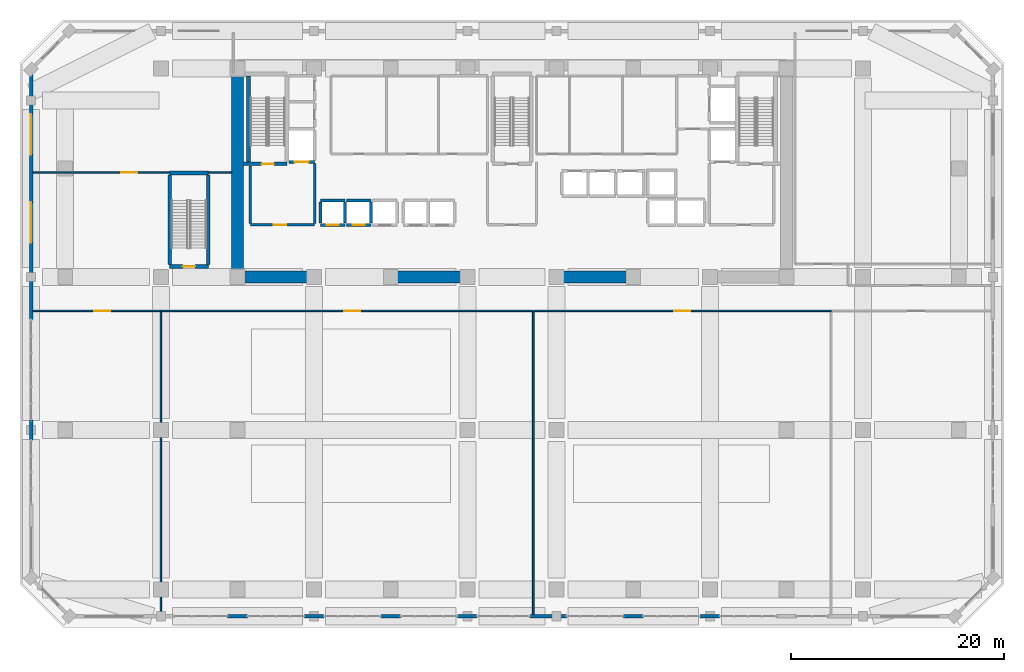
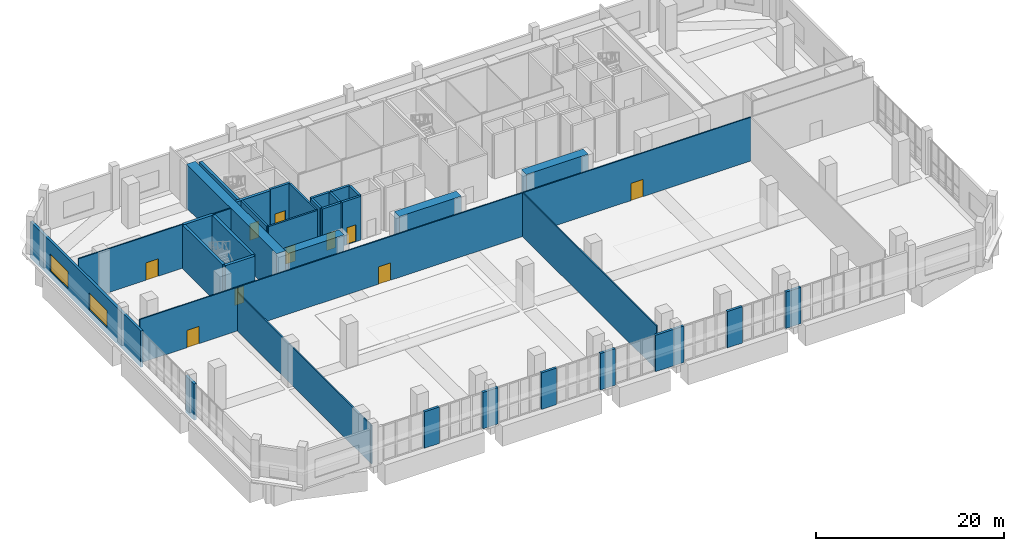
# One storey, part 17 of 25: 37 walls, 10 doors, 2 windows, 12 openings.
"""IFC4 building model written with IfcOpenShell, lengths in metres."""

from ifc_helpers import new_model, si_unit, direction, frame, frame_2d, origin, place, context, subcontext, project, spatial, rectangle, extrude, material, layer, layer_set, type_object, element, fill, save


model = new_model("IFC4")

# Units and contexts
model_context = context("Model", 3, precision=1e-05, world=origin(), true_north=direction((0.0, 1.0)))
body_context = subcontext(model_context, "Body", "Model", "MODEL_VIEW")
ifc_project = project(units=[si_unit("LENGTHUNIT", "METRE"), si_unit("AREAUNIT", "SQUARE_METRE"), si_unit("VOLUMEUNIT", "CUBIC_METRE"), si_unit("PLANEANGLEUNIT", "RADIAN"), si_unit("MASSUNIT", "GRAM", prefix="KILO")], contexts=[model_context])

# Site, building, storey
site_placement = place(None, origin())
site = spatial("IfcSite", under=ifc_project, at=site_placement, CompositionType="ELEMENT")
building_placement = place(site_placement, origin())
building = spatial("IfcBuilding", under=site, at=building_placement, Name="Kaelvorn Grand Hotel", CompositionType="ELEMENT")
storey_placement = place(building_placement, frame((0.0, 0.0, 8.0)))
storey = spatial("IfcBuildingStorey", under=building, at=storey_placement, Name="L01", CompositionType="ELEMENT", Elevation=8.0)

# Walls
ifc_material_1 = material(Name="Concrete C80/95", Category="concrete")
ifc_layer_1 = layer(ifc_material_1, 1.10009765625)
ifc_layer_set_1 = layer_set([ifc_layer_1], Name="Concrete C80/95")
wall_type_1 = type_object("IfcWallType", Name="WL-CORE-1100-C80", PredefinedType="SHEAR", material=ifc_layer_set_1)
wall_1_placement = place(storey_placement, frame((16.199951171875, 29.39990234375, 0.0), z_axis=(0.0, 0.0, 1.0), x_axis=(0.0, 1.0, 0.0)))
element("IfcWall", 1, at=wall_1_placement, inside=storey, type_object=wall_type_1, Name="L01 Rear-Core West Shear Wall", PredefinedType="SHEAR", context=body_context, shape_type="SweptSolid", body=[
    extrude(rectangle(XDim=19.2001953125, YDim=1.10009765625, at=frame_2d((9.60009765625, 0.0))), origin(), (0.0, 0.0, 1.0), 5.679931640625),
])
wall_2_placement = place(storey_placement, frame((16.7548828125, 29.39990234375, 0.0), z_axis=(0.0, 0.0, 1.0), x_axis=(1.0, 0.0, 0.0)))
element("IfcWall", 2, at=wall_2_placement, inside=storey, type_object=wall_type_1, Name="L01 Rear-Core Coupled Shear Pier S1", PredefinedType="SHEAR", context=body_context, shape_type="SweptSolid", body=[
    extrude(rectangle(XDim=6.84521484375, YDim=1.10009765625, at=frame_2d((3.422607421875, 0.0))), origin(), (0.0, 0.0, 1.0), 5.679931640625),
])
for number, where, z_axis, x_axis, name in (
    (3, (30.39990234375, 29.39990234375, 0.0), (0.0, 0.0, 1.0), (1.0, 0.0, 0.0), "L01 Rear-Core Coupled Shear Pier S2"),
    (4, (46.0, 29.39990234375, 0.0), (0.0, 0.0, 1.0), (1.0, 0.0, 0.0), "L01 Rear-Core Coupled Shear Pier S3"),
):
    element("IfcWall", number, at=place(storey_placement, frame(where, z_axis=z_axis, x_axis=x_axis)), inside=storey, type_object=wall_type_1, Name=name, PredefinedType="SHEAR", context=body_context, shape_type="SweptSolid", body=[
        extrude(rectangle(XDim=7.60009765625, YDim=1.10009765625, at=frame_2d((3.800048828125, 0.0))), origin(), (0.0, 0.0, 1.0), 5.679931640625),
    ])
ifc_material_2 = material(Name="Concrete C40/50", Category="concrete")
ifc_layer_2 = layer(ifc_material_2, 0.300048828125)
ifc_layer_set_2 = layer_set([ifc_layer_2], Name="Concrete C40/50")
wall_type_2 = type_object("IfcWallType", Name="WL-EXT-300-C40", PredefinedType="SOLIDWALL", material=ifc_layer_set_2)
wall_3_placement = place(storey_placement, frame((15.27490234375, -2.5, 0.0), z_axis=(0.0, 0.0, 1.0), x_axis=(1.0, 0.0, 0.0)))
element("IfcWall", 5, at=wall_3_placement, inside=storey, type_object=wall_type_2, Name="L01 Exterior Architectural Concrete Wall 01 Pier 2", PredefinedType="SOLIDWALL", context=body_context, shape_type="SweptSolid", body=[
    extrude(rectangle(XDim=1.85009765625, YDim=0.300048828125, at=frame_2d((0.925048828125, 0.0))), origin(), (0.0, 0.0, 1.0), 4.72998046875),
])
for number, where, z_axis, x_axis, name in (
    (6, (22.47509765625, -2.5, 0.0), (0.0, 0.0, 1.0), (1.0, 0.0, 0.0), "L01 Exterior Architectural Concrete Wall 01 Pier 3"),
    (7, (29.675048828125, -2.5, 0.0), (0.0, 0.0, 1.0), (1.0, 0.0, 0.0), "L01 Exterior Architectural Concrete Wall 01 Pier 4"),
):
    element("IfcWall", number, at=place(storey_placement, frame(where, z_axis=z_axis, x_axis=x_axis)), inside=storey, type_object=wall_type_2, Name=name, PredefinedType="SOLIDWALL", context=body_context, shape_type="SweptSolid", body=[
        extrude(rectangle(XDim=1.849853515625, YDim=0.300048828125, at=frame_2d((0.9248046875, 0.0))), origin(), (0.0, 0.0, 1.0), 4.72998046875),
    ])
wall_4_placement = place(storey_placement, frame((36.875, -2.5, 0.0), z_axis=(0.0, 0.0, 1.0), x_axis=(1.0, 0.0, 0.0)))
element("IfcWall", 8, at=wall_4_placement, inside=storey, type_object=wall_type_2, Name="L01 Exterior Architectural Concrete Wall 01 Pier 5", PredefinedType="SOLIDWALL", context=body_context, shape_type="SweptSolid", body=[
    extrude(rectangle(XDim=1.85009765625, YDim=0.300048828125, at=frame_2d((0.925048828125, 0.0))), origin(), (0.0, 0.0, 1.0), 4.72998046875),
])
wall_5_placement = place(storey_placement, frame((43.675048828125, -2.5, 0.0), z_axis=(0.0, 0.0, 1.0), x_axis=(1.0, 0.0, 0.0)))
element("IfcWall", 9, at=wall_5_placement, inside=storey, type_object=wall_type_2, Name="L01 Exterior Architectural Concrete Wall 01 Pier 6", PredefinedType="SOLIDWALL", context=body_context, shape_type="SweptSolid", body=[
    extrude(rectangle(XDim=3.449951171875, YDim=0.300048828125, at=frame_2d((1.72509765625, 0.0))), origin(), (0.0, 0.0, 1.0), 4.72998046875),
])
for number, where, z_axis, x_axis, name in (
    (10, (52.47509765625, -2.5, 0.0), (0.0, 0.0, 1.0), (1.0, 0.0, 0.0), "L01 Exterior Architectural Concrete Wall 01 Pier 7"),
    (11, (59.675048828125, -2.5, 0.0), (0.0, 0.0, 1.0), (1.0, 0.0, 0.0), "L01 Exterior Architectural Concrete Wall 01 Pier 8"),
):
    element("IfcWall", number, at=place(storey_placement, frame(where, z_axis=z_axis, x_axis=x_axis)), inside=storey, type_object=wall_type_2, Name=name, PredefinedType="SOLIDWALL", context=body_context, shape_type="SweptSolid", body=[
        extrude(rectangle(XDim=1.849853515625, YDim=0.300048828125, at=frame_2d((0.9248046875, 0.0))), origin(), (0.0, 0.0, 1.0), 4.72998046875),
    ])

# Wall, openings, windows
wall_6_placement = place(storey_placement, frame((-3.199951171875, 48.89990234375, 0.0), z_axis=(0.0, 0.0, 1.0), x_axis=(0.0, -1.0, 0.0)))
wall_6 = element("IfcWall", 12, at=wall_6_placement, inside=storey, type_object=wall_type_2, Name="L01 Exterior Architectural Concrete Wall 07 Pier 1", PredefinedType="SOLIDWALL", context=body_context, shape_type="SweptSolid", body=[
    extrude(rectangle(XDim=23.5048828125, YDim=0.300048828125, at=frame_2d((11.75244140625, 0.0))), origin(), (0.0, 0.0, 1.0), 4.72998046875),
])
opening_1_placement = place(wall_6_placement, frame((12.5, 0.0, 0.85009765625)))
opening_1 = element("IfcOpeningElement", 13, at=opening_1_placement, cuts=wall_6, Name="Opening W9", PredefinedType="OPENING", context=body_context, shape_type="SweptSolid", body=[
    extrude(rectangle(XDim=3.800048828125, YDim=2.199951171875, at=frame_2d((1.89990234375, 1.10009765625))), frame((0.0, 0.16015625, 0.0), z_axis=(0.0, -1.0, 0.0), x_axis=(1.0, 0.0, 0.0)), (0.0, 0.0, 1.0), 0.320068359375),
])
opening_2_placement = place(wall_6_placement, frame((4.199951171875, 0.0, 0.85009765625)))
opening_2 = element("IfcOpeningElement", 14, at=opening_2_placement, cuts=wall_6, Name="Opening W9", PredefinedType="OPENING", context=body_context, shape_type="SweptSolid", body=[
    extrude(rectangle(XDim=3.800048828125, YDim=2.199951171875, at=frame_2d((1.89990234375, 1.10009765625))), frame((0.0, 0.16015625, 0.0), z_axis=(0.0, -1.0, 0.0), x_axis=(1.0, 0.0, 0.0)), (0.0, 0.0, 1.0), 0.320068359375),
])
ifc_material_3 = material(Name="Laminated Low-E Glass", Category="glass")
window_type = type_object("IfcWindowType", Name="WIN-POD-3800x2200", PartitioningType="SINGLE_PANEL", PredefinedType="WINDOW", material=ifc_material_3)
window_1_placement = place(opening_1_placement, origin())
window_1 = element("IfcWindow", 15, at=window_1_placement, inside=storey, type_object=window_type, Name="L01 Podium W Ribbon Window 1", OverallHeight=2.199951171875, OverallWidth=3.800048828125, PartitioningType="SINGLE_PANEL", PredefinedType="WINDOW", context=body_context, shape_type="SweptSolid", body=[
    extrude(rectangle(XDim=3.800048828125, YDim=2.199951171875, at=frame_2d((1.89990234375, 1.10009765625))), frame((0.0, 0.030029296875, 0.0), z_axis=(0.0, -1.0, 0.0), x_axis=(1.0, 0.0, 0.0)), (0.0, 0.0, 1.0), 0.06005859375),
])
fill(opening_1, window_1)
window_2_placement = place(opening_2_placement, origin())
window_2 = element("IfcWindow", 16, at=window_2_placement, inside=storey, type_object=window_type, Name="L01 Podium W Ribbon Window 2", OverallHeight=2.199951171875, OverallWidth=3.800048828125, PartitioningType="SINGLE_PANEL", PredefinedType="WINDOW", context=body_context, shape_type="SweptSolid", body=[
    extrude(rectangle(XDim=3.800048828125, YDim=2.199951171875, at=frame_2d((1.89990234375, 1.10009765625))), frame((0.0, 0.030029296875, 0.0), z_axis=(0.0, -1.0, 0.0), x_axis=(1.0, 0.0, 0.0)), (0.0, 0.0, 1.0), 0.06005859375),
])
fill(opening_2, window_2)

# Wall
wall_7_placement = place(storey_placement, frame((-3.199951171875, 15.925048828125, 0.0), z_axis=(0.0, 0.0, 1.0), x_axis=(0.0, -1.0, 0.0)))
element("IfcWall", 17, at=wall_7_placement, inside=storey, type_object=wall_type_2, Name="L01 Exterior Architectural Concrete Wall 07 Pier 2", PredefinedType="SOLIDWALL", context=body_context, shape_type="SweptSolid", body=[
    extrude(rectangle(XDim=1.85009765625, YDim=0.300048828125, at=frame_2d((0.925048828125, 0.0))), origin(), (0.0, 0.0, 1.0), 4.72998046875),
])

# Wall, opening, door
ifc_material_4 = material(Name="Acoustic Gypsum & Stud Partition")
ifc_layer_3 = layer(ifc_material_4, 0.14990234375)
ifc_layer_set_3 = layer_set([ifc_layer_3], Name="Acoustic Gypsum & Stud Partition")
wall_type_3 = type_object("IfcWallType", Name="WL-PART-150-EI60", PredefinedType="PARTITIONING", material=ifc_layer_set_3)
wall_8_placement = place(storey_placement, frame((-3.044921875, 39.199951171875, 0.0), z_axis=(0.0, 0.0, 1.0), x_axis=(1.0, 0.0, 0.0)))
wall_8 = element("IfcWall", 18, at=wall_8_placement, inside=storey, type_object=wall_type_3, Name="L01 L01 North-West Banquet Support & Admin Office S Partition (1)", PredefinedType="PARTITIONING", context=body_context, shape_type="SweptSolid", body=[
    extrude(rectangle(XDim=12.85986328125, YDim=0.14990234375, at=frame_2d((6.429931640625, 0.0))), origin(), (0.0, 0.0, 1.0), 5.679931640625),
])
opening_3_placement = place(wall_8_placement, frame((8.294921875, 0.0, 0.0)))
opening_3 = element("IfcOpeningElement", 19, at=opening_3_placement, cuts=wall_8, Name="Opening DI5", PredefinedType="OPENING", context=body_context, shape_type="SweptSolid", body=[
    extrude(rectangle(XDim=1.5, YDim=2.25, at=frame_2d((0.75, 1.125))), frame((0.0, 0.0849609375, 0.0), z_axis=(0.0, -1.0, 0.0), x_axis=(1.0, 0.0, 0.0)), (0.0, 0.0, 1.0), 0.169921875),
])
ifc_material_5 = material(Name="Timber Veneer Fire Leaf", Category="wood")
door_type_1 = type_object("IfcDoorType", Name="DR-INT-SALON-1500x2250", OperationType="DOUBLE_DOOR_SINGLE_SWING", PredefinedType="DOOR", material=ifc_material_5)
door_1_placement = place(opening_3_placement, origin())
door_1 = element("IfcDoor", 20, at=door_1_placement, inside=storey, type_object=door_type_1, Name="L01 L01 North-West Banquet Support & Admin Office Door", OperationType="DOUBLE_DOOR_SINGLE_SWING", OverallHeight=2.25, OverallWidth=1.5, PredefinedType="DOOR", context=body_context, shape_type="SweptSolid", body=[
    extrude(rectangle(XDim=1.5, YDim=2.25, at=frame_2d((0.75, 1.125))), frame((0.0, 0.02490234375, 0.0), z_axis=(0.0, -1.0, 0.0), x_axis=(1.0, 0.0, 0.0)), (0.0, 0.0, 1.0), 0.050048828125),
])
fill(opening_3, door_1)

# Wall
wall_9_placement = place(storey_placement, frame((13.465087890625, 39.199951171875, 0.0), z_axis=(0.0, 0.0, 1.0), x_axis=(1.0, 0.0, 0.0)))
element("IfcWall", 21, at=wall_9_placement, inside=storey, type_object=wall_type_3, Name="L01 L01 North-West Banquet Support & Admin Office S Partition (2)", PredefinedType="PARTITIONING", context=body_context, shape_type="SweptSolid", body=[
    extrude(rectangle(XDim=2.179931640625, YDim=0.14990234375, at=frame_2d((1.08984375, 0.0))), origin(), (0.0, 0.0, 1.0), 5.679931640625),
])

# Wall, opening, door
wall_10_placement = place(storey_placement, frame((9.0, 26.199951171875, 0.0), z_axis=(0.0, 0.0, 1.0), x_axis=(1.0, 0.0, 0.0)))
wall_10 = element("IfcWall", 22, at=wall_10_placement, inside=storey, type_object=wall_type_3, Name="L01 Hotel Check-In Reception & Concierge Hall N Partition", PredefinedType="PARTITIONING", context=body_context, shape_type="SweptSolid", body=[
    extrude(rectangle(XDim=35.0, YDim=0.14990234375, at=frame_2d((17.5, 0.0))), origin(), (0.0, 0.0, 1.0), 5.679931640625),
])
opening_4_placement = place(wall_10_placement, frame((17.25, 0.0, 0.0)))
opening_4 = element("IfcOpeningElement", 23, at=opening_4_placement, cuts=wall_10, Name="Opening DI5", PredefinedType="OPENING", context=body_context, shape_type="SweptSolid", body=[
    extrude(rectangle(XDim=1.5, YDim=2.25, at=frame_2d((0.75, 1.125))), frame((0.0, 0.0849609375, 0.0), z_axis=(0.0, -1.0, 0.0), x_axis=(1.0, 0.0, 0.0)), (0.0, 0.0, 1.0), 0.169921875),
])
door_2_placement = place(opening_4_placement, origin())
door_2 = element("IfcDoor", 24, at=door_2_placement, inside=storey, type_object=door_type_1, Name="L01 Hotel Check-In Reception & Concierge Hall Door", OperationType="DOUBLE_DOOR_SINGLE_SWING", OverallHeight=2.25, OverallWidth=1.5, PredefinedType="DOOR", context=body_context, shape_type="SweptSolid", body=[
    extrude(rectangle(XDim=1.5, YDim=2.25, at=frame_2d((0.75, 1.125))), frame((0.0, 0.02490234375, 0.0), z_axis=(0.0, -1.0, 0.0), x_axis=(1.0, 0.0, 0.0)), (0.0, 0.0, 1.0), 0.050048828125),
])
fill(opening_4, door_2)

# Walls
wall_11_placement = place(storey_placement, frame((9.0, -2.344970703125, 0.0), z_axis=(0.0, 0.0, 1.0), x_axis=(0.0, 1.0, 0.0)))
element("IfcWall", 25, at=wall_11_placement, inside=storey, type_object=wall_type_3, Name="L01 Hotel Check-In Reception & Concierge Hall W Partition", PredefinedType="PARTITIONING", context=body_context, shape_type="SweptSolid", body=[
    extrude(rectangle(XDim=28.465087890625, YDim=0.14990234375, at=frame_2d((14.232421875, 0.0))), origin(), (0.0, 0.0, 1.0), 4.992431640625),
])
wall_12_placement = place(storey_placement, frame((44.0, -2.344970703125, 0.0), z_axis=(0.0, 0.0, 1.0), x_axis=(0.0, 1.0, 0.0)))
element("IfcWall", 26, at=wall_12_placement, inside=storey, type_object=wall_type_3, Name="L01 Hotel Check-In Reception & Concierge Hall E Partition", PredefinedType="PARTITIONING", context=body_context, shape_type="SweptSolid", body=[
    extrude(rectangle(XDim=28.465087890625, YDim=0.14990234375, at=frame_2d((14.232421875, 0.0))), origin(), (0.0, 0.0, 1.0), 5.679931640625),
])

# Wall, opening, door
wall_13_placement = place(storey_placement, frame((44.080078125, 26.199951171875, 0.0), z_axis=(0.0, 0.0, 1.0), x_axis=(1.0, 0.0, 0.0)))
wall_13 = element("IfcWall", 27, at=wall_13_placement, inside=storey, type_object=wall_type_3, Name="L01 Palm Court Lobby Lounge & Patisserie N Partition", PredefinedType="PARTITIONING", context=body_context, shape_type="SweptSolid", body=[
    extrude(rectangle(XDim=27.919921875, YDim=0.14990234375, at=frame_2d((13.9599609375, 0.0))), origin(), (0.0, 0.0, 1.0), 5.679931640625),
])
opening_5_placement = place(wall_13_placement, frame((13.169921875, 0.0, 0.0)))
opening_5 = element("IfcOpeningElement", 28, at=opening_5_placement, cuts=wall_13, Name="Opening DI5", PredefinedType="OPENING", context=body_context, shape_type="SweptSolid", body=[
    extrude(rectangle(XDim=1.5, YDim=2.25, at=frame_2d((0.75, 1.125))), frame((0.0, 0.0849609375, 0.0), z_axis=(0.0, -1.0, 0.0), x_axis=(1.0, 0.0, 0.0)), (0.0, 0.0, 1.0), 0.169921875),
])
door_3_placement = place(opening_5_placement, origin())
door_3 = element("IfcDoor", 29, at=door_3_placement, inside=storey, type_object=door_type_1, Name="L01 Palm Court Lobby Lounge & Patisserie Door", OperationType="DOUBLE_DOOR_SINGLE_SWING", OverallHeight=2.25, OverallWidth=1.5, PredefinedType="DOOR", context=body_context, shape_type="SweptSolid", body=[
    extrude(rectangle(XDim=1.5, YDim=2.25, at=frame_2d((0.75, 1.125))), frame((0.0, 0.02490234375, 0.0), z_axis=(0.0, -1.0, 0.0), x_axis=(1.0, 0.0, 0.0)), (0.0, 0.0, 1.0), 0.050048828125),
])
fill(opening_5, door_3)

wall_14_placement = place(storey_placement, frame((-3.044921875, 26.199951171875, 0.0), z_axis=(0.0, 0.0, 1.0), x_axis=(1.0, 0.0, 0.0)))
wall_14 = element("IfcWall", 30, at=wall_14_placement, inside=storey, type_object=wall_type_3, Name="L01 Luxury Arcade Boutique West N Partition", PredefinedType="PARTITIONING", context=body_context, shape_type="SweptSolid", body=[
    extrude(rectangle(XDim=11.96484375, YDim=0.14990234375, at=frame_2d((5.982421875, 0.0))), origin(), (0.0, 0.0, 1.0), 5.679931640625),
])
opening_6_placement = place(wall_14_placement, frame((5.794921875, 0.0, 0.0)))
opening_6 = element("IfcOpeningElement", 31, at=opening_6_placement, cuts=wall_14, Name="Opening DI5", PredefinedType="OPENING", context=body_context, shape_type="SweptSolid", body=[
    extrude(rectangle(XDim=1.5, YDim=2.25, at=frame_2d((0.75, 1.125))), frame((0.0, 0.0849609375, 0.0), z_axis=(0.0, -1.0, 0.0), x_axis=(1.0, 0.0, 0.0)), (0.0, 0.0, 1.0), 0.169921875),
])
door_4_placement = place(opening_6_placement, origin())
door_4 = element("IfcDoor", 32, at=door_4_placement, inside=storey, type_object=door_type_1, Name="L01 Luxury Arcade Boutique West Door", OperationType="DOUBLE_DOOR_SINGLE_SWING", OverallHeight=2.25, OverallWidth=1.5, PredefinedType="DOOR", context=body_context, shape_type="SweptSolid", body=[
    extrude(rectangle(XDim=1.5, YDim=2.25, at=frame_2d((0.75, 1.125))), frame((0.0, 0.02490234375, 0.0), z_axis=(0.0, -1.0, 0.0), x_axis=(1.0, 0.0, 0.0)), (0.0, 0.0, 1.0), 0.050048828125),
])
fill(opening_6, door_4)

ifc_layer_4 = layer(ifc_material_2, 0.219970703125)
ifc_layer_set_4 = layer_set([ifc_layer_4], Name="Concrete C40/50")
wall_type_4 = type_object("IfcWallType", Name="WL-PART-220-EI120", PredefinedType="PARTITIONING", material=ifc_layer_set_4)
wall_15_placement = place(storey_placement, frame((17.39990234375, 34.300048828125, 0.0), z_axis=(0.0, 0.0, 1.0), x_axis=(1.0, 0.0, 0.0)))
wall_15 = element("IfcWall", 33, at=wall_15_placement, inside=storey, type_object=wall_type_4, Name="L01 Firefighting Lift Lobby 1 S Partition", PredefinedType="PARTITIONING", context=body_context, shape_type="SweptSolid", body=[
    extrude(rectangle(XDim=6.050048828125, YDim=0.219970703125, at=frame_2d((3.02490234375, 0.0))), origin(), (0.0, 0.0, 1.0), 5.679931640625),
])
opening_7_placement = place(wall_15_placement, frame((2.199951171875, 0.0, 0.0)))
opening_7 = element("IfcOpeningElement", 34, at=opening_7_placement, cuts=wall_15, Name="Opening DI2", PredefinedType="OPENING", context=body_context, shape_type="SweptSolid", body=[
    extrude(rectangle(XDim=1.199951171875, YDim=2.14990234375, at=frame_2d((0.60009765625, 1.074951171875))), frame((0.0, 0.1201171875, 0.0), z_axis=(0.0, -1.0, 0.0), x_axis=(1.0, 0.0, 0.0)), (0.0, 0.0, 1.0), 0.239990234375),
])
door_type_2 = type_object("IfcDoorType", Name="DR-INT-FFLOB-1200x2150", OperationType="NOTDEFINED", PredefinedType="DOOR", material=ifc_material_5)
door_5_placement = place(opening_7_placement, origin())
door_5 = element("IfcDoor", 35, at=door_5_placement, inside=storey, type_object=door_type_2, Name="L01 Firefighting Lift Lobby 1 Door", OperationType="SINGLE_SWING_LEFT", OverallHeight=2.14990234375, OverallWidth=1.199951171875, PredefinedType="DOOR", context=body_context, shape_type="SweptSolid", body=[
    extrude(rectangle(XDim=1.199951171875, YDim=2.14990234375, at=frame_2d((0.60009765625, 1.074951171875))), frame((0.0, 0.02490234375, 0.0), z_axis=(0.0, -1.0, 0.0), x_axis=(1.0, 0.0, 0.0)), (0.0, 0.0, 1.0), 0.050048828125),
])
fill(opening_7, door_5)

# Walls
wall_16_placement = place(storey_placement, frame((17.39990234375, 34.4150390625, 0.0), z_axis=(0.0, 0.0, 1.0), x_axis=(0.0, 1.0, 0.0)))
element("IfcWall", 36, at=wall_16_placement, inside=storey, type_object=wall_type_4, Name="L01 Firefighting Lift Lobby 1 W Partition", PredefinedType="PARTITIONING", context=body_context, shape_type="SweptSolid", body=[
    extrude(rectangle(XDim=5.429931640625, YDim=0.219970703125, at=frame_2d((2.71484375, 0.0))), origin(), (0.0, 0.0, 1.0), 5.679931640625),
])
wall_17_placement = place(storey_placement, frame((23.449951171875, 34.4150390625, 0.0), z_axis=(0.0, 0.0, 1.0), x_axis=(0.0, 1.0, 0.0)))
element("IfcWall", 37, at=wall_17_placement, inside=storey, type_object=wall_type_4, Name="L01 Firefighting Lift Lobby 1 E Partition", PredefinedType="PARTITIONING", context=body_context, shape_type="SweptSolid", body=[
    extrude(rectangle(XDim=5.639892578125, YDim=0.219970703125, at=frame_2d((2.81982421875, 0.0))), origin(), (0.0, 0.0, 1.0), 5.679931640625),
])

# Wall, opening, door
ifc_material_6 = material(Name="Concrete C50/60", Category="concrete")
ifc_layer_5 = layer(ifc_material_6, 0.280029296875)
ifc_layer_set_5 = layer_set([ifc_layer_5], Name="Concrete C50/60")
wall_type_5 = type_object("IfcWallType", Name="WL-SHAFT-280-C50", PredefinedType="SHEAR", material=ifc_layer_set_5)
wall_18_placement = place(storey_placement, frame((24.0, 34.300048828125, 0.0), z_axis=(0.0, 0.0, 1.0), x_axis=(1.0, 0.0, 0.0)))
wall_18 = element("IfcWall", 38, at=wall_18_placement, inside=storey, type_object=wall_type_5, Name="L01 Lift PL-L1 Shaft South Wall", PredefinedType="SHEAR", context=body_context, shape_type="SweptSolid", body=[
    extrude(rectangle(XDim=2.300048828125, YDim=0.280029296875, at=frame_2d((1.14990234375, 0.0))), origin(), (0.0, 0.0, 1.0), 5.679931640625),
])
opening_8_placement = place(wall_18_placement, frame((0.60009765625, 0.0, 0.0)))
opening_8 = element("IfcOpeningElement", 39, at=opening_8_placement, cuts=wall_18, Name="Opening LD-PL-L1", PredefinedType="OPENING", context=body_context, shape_type="SweptSolid", body=[
    extrude(rectangle(XDim=1.10009765625, YDim=2.199951171875, at=frame_2d((0.550048828125, 1.10009765625))), frame((0.0, 0.14990234375, 0.0), z_axis=(0.0, -1.0, 0.0), x_axis=(1.0, 0.0, 0.0)), (0.0, 0.0, 1.0), 0.300048828125),
])
ifc_material_7 = material(Name="Stainless Steel", Category="steel")
door_type_3 = type_object("IfcDoorType", Name="DR-LIFT-PASS-1100x2200", OperationType="DOUBLE_DOOR_SLIDING", PredefinedType="DOOR", material=ifc_material_7)
door_6_placement = place(opening_8_placement, origin())
door_6 = element("IfcDoor", 40, at=door_6_placement, inside=storey, type_object=door_type_3, Name="L01 Lift PL-L1 Sliding Landing Door LD-PL-L1", OperationType="DOUBLE_DOOR_SLIDING", OverallHeight=2.199951171875, OverallWidth=1.10009765625, PredefinedType="DOOR", context=body_context, shape_type="SweptSolid", body=[
    extrude(rectangle(XDim=1.10009765625, YDim=2.199951171875, at=frame_2d((0.550048828125, 1.10009765625))), frame((0.0, 0.02490234375, 0.0), z_axis=(0.0, -1.0, 0.0), x_axis=(1.0, 0.0, 0.0)), (0.0, 0.0, 1.0), 0.050048828125),
])
fill(opening_8, door_6)

# Walls
wall_19_placement = place(storey_placement, frame((24.0, 36.60009765625, 0.0), z_axis=(0.0, 0.0, 1.0), x_axis=(1.0, 0.0, 0.0)))
element("IfcWall", 41, at=wall_19_placement, inside=storey, type_object=wall_type_5, Name="L01 Lift PL-L1 Shaft North Wall", PredefinedType="SHEAR", context=body_context, shape_type="SweptSolid", body=[
    extrude(rectangle(XDim=2.300048828125, YDim=0.280029296875, at=frame_2d((1.14990234375, 0.0))), origin(), (0.0, 0.0, 1.0), 5.679931640625),
])
for number, where, z_axis, x_axis, name in (
    (42, (24.0, 34.445068359375, 0.0), (0.0, 0.0, 1.0), (0.0, 1.0, 0.0), "L01 Lift PL-L1 Shaft West Wall"),
    (43, (26.300048828125, 34.445068359375, 0.0), (0.0, 0.0, 1.0), (0.0, 1.0, 0.0), "L01 Lift PL-L1 Shaft East Wall"),
):
    element("IfcWall", number, at=place(storey_placement, frame(where, z_axis=z_axis, x_axis=x_axis)), inside=storey, type_object=wall_type_5, Name=name, PredefinedType="SHEAR", context=body_context, shape_type="SweptSolid", body=[
        extrude(rectangle(XDim=2.010009765625, YDim=0.280029296875, at=frame_2d((1.0048828125, 0.0))), origin(), (0.0, 0.0, 1.0), 5.679931640625),
    ])

# Wall, opening, door
wall_20_placement = place(storey_placement, frame((26.449951171875, 34.300048828125, 0.0), z_axis=(0.0, 0.0, 1.0), x_axis=(1.0, 0.0, 0.0)))
wall_20 = element("IfcWall", 44, at=wall_20_placement, inside=storey, type_object=wall_type_5, Name="L01 Lift PL-L2 Shaft South Wall", PredefinedType="SHEAR", context=body_context, shape_type="SweptSolid", body=[
    extrude(rectangle(XDim=2.300048828125, YDim=0.280029296875, at=frame_2d((1.14990234375, 0.0))), origin(), (0.0, 0.0, 1.0), 5.679931640625),
])
opening_9_placement = place(wall_20_placement, frame((0.60009765625, 0.0, 0.0)))
opening_9 = element("IfcOpeningElement", 45, at=opening_9_placement, cuts=wall_20, Name="Opening LD-PL-L2", PredefinedType="OPENING", context=body_context, shape_type="SweptSolid", body=[
    extrude(rectangle(XDim=1.10009765625, YDim=2.199951171875, at=frame_2d((0.550048828125, 1.10009765625))), frame((0.0, 0.14990234375, 0.0), z_axis=(0.0, -1.0, 0.0), x_axis=(1.0, 0.0, 0.0)), (0.0, 0.0, 1.0), 0.300048828125),
])
door_7_placement = place(opening_9_placement, origin())
door_7 = element("IfcDoor", 46, at=door_7_placement, inside=storey, type_object=door_type_3, Name="L01 Lift PL-L2 Sliding Landing Door LD-PL-L2", OperationType="DOUBLE_DOOR_SLIDING", OverallHeight=2.199951171875, OverallWidth=1.10009765625, PredefinedType="DOOR", context=body_context, shape_type="SweptSolid", body=[
    extrude(rectangle(XDim=1.10009765625, YDim=2.199951171875, at=frame_2d((0.550048828125, 1.10009765625))), frame((0.0, 0.02490234375, 0.0), z_axis=(0.0, -1.0, 0.0), x_axis=(1.0, 0.0, 0.0)), (0.0, 0.0, 1.0), 0.050048828125),
])
fill(opening_9, door_7)

# Walls
wall_21_placement = place(storey_placement, frame((26.449951171875, 36.60009765625, 0.0), z_axis=(0.0, 0.0, 1.0), x_axis=(1.0, 0.0, 0.0)))
element("IfcWall", 47, at=wall_21_placement, inside=storey, type_object=wall_type_5, Name="L01 Lift PL-L2 Shaft North Wall", PredefinedType="SHEAR", context=body_context, shape_type="SweptSolid", body=[
    extrude(rectangle(XDim=2.300048828125, YDim=0.280029296875, at=frame_2d((1.14990234375, 0.0))), origin(), (0.0, 0.0, 1.0), 5.679931640625),
])
wall_22_placement = place(storey_placement, frame((28.75, 34.445068359375, 0.0), z_axis=(0.0, 0.0, 1.0), x_axis=(0.0, 1.0, 0.0)))
element("IfcWall", 48, at=wall_22_placement, inside=storey, type_object=wall_type_5, Name="L01 Lift PL-L2 Shaft East Wall", PredefinedType="SHEAR", context=body_context, shape_type="SweptSolid", body=[
    extrude(rectangle(XDim=2.010009765625, YDim=0.280029296875, at=frame_2d((1.0048828125, 0.0))), origin(), (0.0, 0.0, 1.0), 5.679931640625),
])

# Wall, opening, door
wall_23_placement = place(storey_placement, frame((21.034912109375, 40.199951171875, 0.0), z_axis=(0.0, 0.0, 1.0), x_axis=(1.0, 0.0, 0.0)))
wall_23 = element("IfcWall", 49, at=wall_23_placement, inside=storey, type_object=wall_type_5, Name="L01 Lift FFL1 Shaft South Wall", PredefinedType="SHEAR", context=body_context, shape_type="SweptSolid", body=[
    extrude(rectangle(XDim=2.4150390625, YDim=0.280029296875, at=frame_2d((1.20751953125, 0.0))), origin(), (0.0, 0.0, 1.0), 5.679931640625),
])
opening_10_placement = place(wall_23_placement, frame((0.5400390625, 0.0, 0.0)))
opening_10 = element("IfcOpeningElement", 50, at=opening_10_placement, cuts=wall_23, Name="Opening LD-FFL1", PredefinedType="OPENING", context=body_context, shape_type="SweptSolid", body=[
    extrude(rectangle(XDim=1.300048828125, YDim=2.300048828125, at=frame_2d((0.64990234375, 1.14990234375))), frame((0.0, 0.14990234375, 0.0), z_axis=(0.0, -1.0, 0.0), x_axis=(1.0, 0.0, 0.0)), (0.0, 0.0, 1.0), 0.300048828125),
])
door_type_4 = type_object("IfcDoorType", Name="DR-LIFT-SERV-1300x2300", OperationType="DOUBLE_DOOR_SLIDING", PredefinedType="DOOR", material=ifc_material_7)
door_8_placement = place(opening_10_placement, origin())
door_8 = element("IfcDoor", 51, at=door_8_placement, inside=storey, type_object=door_type_4, Name="L01 Lift FFL1 Sliding Landing Door LD-FFL1", OperationType="DOUBLE_DOOR_SLIDING", OverallHeight=2.300048828125, OverallWidth=1.300048828125, PredefinedType="DOOR", context=body_context, shape_type="SweptSolid", body=[
    extrude(rectangle(XDim=1.300048828125, YDim=2.300048828125, at=frame_2d((0.64990234375, 1.14990234375))), frame((0.0, 0.02490234375, 0.0), z_axis=(0.0, -1.0, 0.0), x_axis=(1.0, 0.0, 0.0)), (0.0, 0.0, 1.0), 0.050048828125),
])
fill(opening_10, door_8)

ifc_material_8 = material(Name="Concrete C60/75", Category="concrete")
ifc_layer_6 = layer(ifc_material_8, 0.35009765625)
ifc_layer_set_6 = layer_set([ifc_layer_6], Name="Concrete C60/75")
wall_type_6 = type_object("IfcWallType", Name="WL-SHAFT-350-C60", PredefinedType="SHEAR", material=ifc_layer_set_6)
wall_24_placement = place(storey_placement, frame((16.7548828125, 40.02490234375, 0.0), z_axis=(0.0, 0.0, 1.0), x_axis=(1.0, 0.0, 0.0)))
wall_24 = element("IfcWall", 52, at=wall_24_placement, inside=storey, type_object=wall_type_6, Name="L01 ST1 Stair Shaft South Wall", PredefinedType="SHEAR", context=body_context, shape_type="SweptSolid", body=[
    extrude(rectangle(XDim=4.10009765625, YDim=0.35009765625, at=frame_2d((2.050048828125, 0.0))), origin(), (0.0, 0.0, 1.0), 5.679931640625),
])
opening_11_placement = place(wall_24_placement, frame((1.7099609375, 0.0, 0.0)))
opening_11 = element("IfcOpeningElement", 53, at=opening_11_placement, cuts=wall_24, Name="Opening DI1", PredefinedType="OPENING", context=body_context, shape_type="SweptSolid", body=[
    extrude(rectangle(XDim=1.14990234375, YDim=2.14990234375, at=frame_2d((0.574951171875, 1.074951171875))), frame((0.0, 0.18505859375, 0.0), z_axis=(0.0, -1.0, 0.0), x_axis=(1.0, 0.0, 0.0)), (0.0, 0.0, 1.0), 0.3701171875),
])
door_type_5 = type_object("IfcDoorType", Name="DR-INT-STAIR-1150x2150", OperationType="NOTDEFINED", PredefinedType="DOOR", material=ifc_material_5)
door_9_placement = place(opening_11_placement, origin())
door_9 = element("IfcDoor", 54, at=door_9_placement, inside=storey, type_object=door_type_5, Name="L01 ST1 Exit Stair Fire Door", OperationType="SINGLE_SWING_LEFT", OverallHeight=2.14990234375, OverallWidth=1.14990234375, PredefinedType="DOOR", context=body_context, shape_type="SweptSolid", body=[
    extrude(rectangle(XDim=1.14990234375, YDim=2.14990234375, at=frame_2d((0.574951171875, 1.074951171875))), frame((0.0, 0.02490234375, 0.0), z_axis=(0.0, -1.0, 0.0), x_axis=(1.0, 0.0, 0.0)), (0.0, 0.0, 1.0), 0.050048828125),
])
fill(opening_11, door_9)

# Wall
wall_25_placement = place(storey_placement, frame((17.22509765625, 40.205078125, 0.0), z_axis=(0.0, 0.0, 1.0), x_axis=(0.0, 1.0, 0.0)))
element("IfcWall", 55, at=wall_25_placement, inside=storey, type_object=wall_type_6, Name="L01 ST1 Stair Shaft West Wall", PredefinedType="SHEAR", context=body_context, shape_type="SweptSolid", body=[
    extrude(rectangle(XDim=8.08984375, YDim=0.35009765625, at=frame_2d((4.044921875, 0.0))), origin(), (0.0, 0.0, 1.0), 5.679931640625),
])

# Wall, opening, door
wall_26_placement = place(storey_placement, frame((9.824951171875, 30.375, 0.0), z_axis=(0.0, 0.0, 1.0), x_axis=(1.0, 0.0, 0.0)))
wall_26 = element("IfcWall", 56, at=wall_26_placement, inside=storey, type_object=wall_type_6, Name="L01 ST4 Stair Shaft South Wall", PredefinedType="SHEAR", context=body_context, shape_type="SweptSolid", body=[
    extrude(rectangle(XDim=3.630126953125, YDim=0.35009765625, at=frame_2d((1.81494140625, 0.0))), origin(), (0.0, 0.0, 1.0), 5.679931640625),
])
opening_12_placement = place(wall_26_placement, frame((1.239990234375, 0.0, 0.0)))
opening_12 = element("IfcOpeningElement", 57, at=opening_12_placement, cuts=wall_26, Name="Opening DI1", PredefinedType="OPENING", context=body_context, shape_type="SweptSolid", body=[
    extrude(rectangle(XDim=1.14990234375, YDim=2.14990234375, at=frame_2d((0.574951171875, 1.074951171875))), frame((0.0, 0.18505859375, 0.0), z_axis=(0.0, -1.0, 0.0), x_axis=(1.0, 0.0, 0.0)), (0.0, 0.0, 1.0), 0.3701171875),
])
door_10_placement = place(opening_12_placement, origin())
door_10 = element("IfcDoor", 58, at=door_10_placement, inside=storey, type_object=door_type_5, Name="L01 ST4 Exit Stair Fire Door", OperationType="SINGLE_SWING_RIGHT", OverallHeight=2.14990234375, OverallWidth=1.14990234375, PredefinedType="DOOR", context=body_context, shape_type="SweptSolid", body=[
    extrude(rectangle(XDim=1.14990234375, YDim=2.14990234375, at=frame_2d((0.574951171875, 1.074951171875))), frame((0.0, 0.02490234375, 0.0), z_axis=(0.0, -1.0, 0.0), x_axis=(1.0, 0.0, 0.0)), (0.0, 0.0, 1.0), 0.050048828125),
])
fill(opening_12, door_10)

# Walls
wall_27_placement = place(storey_placement, frame((9.824951171875, 39.175048828125, 0.0), z_axis=(0.0, 0.0, 1.0), x_axis=(1.0, 0.0, 0.0)))
element("IfcWall", 59, at=wall_27_placement, inside=storey, type_object=wall_type_6, Name="L01 ST4 Stair Shaft North Wall", PredefinedType="SHEAR", context=body_context, shape_type="SweptSolid", body=[
    extrude(rectangle(XDim=3.630126953125, YDim=0.35009765625, at=frame_2d((1.81494140625, 0.0))), origin(), (0.0, 0.0, 1.0), 5.679931640625),
])
for number, where, z_axis, x_axis, name in (
    (60, (9.824951171875, 30.554931640625, 0.0), (0.0, 0.0, 1.0), (0.0, 1.0, 0.0), "L01 ST4 Stair Shaft West Wall"),
    (61, (13.455078125, 30.554931640625, 0.0), (0.0, 0.0, 1.0), (0.0, 1.0, 0.0), "L01 ST4 Stair Shaft East Wall"),
):
    element("IfcWall", number, at=place(storey_placement, frame(where, z_axis=z_axis, x_axis=x_axis)), inside=storey, type_object=wall_type_6, Name=name, PredefinedType="SHEAR", context=body_context, shape_type="SweptSolid", body=[
        extrude(rectangle(XDim=8.440185546875, YDim=0.35009765625, at=frame_2d((4.22021484375, 0.0))), origin(), (0.0, 0.0, 1.0), 5.679931640625),
    ])

save(model, "model.ifc")
